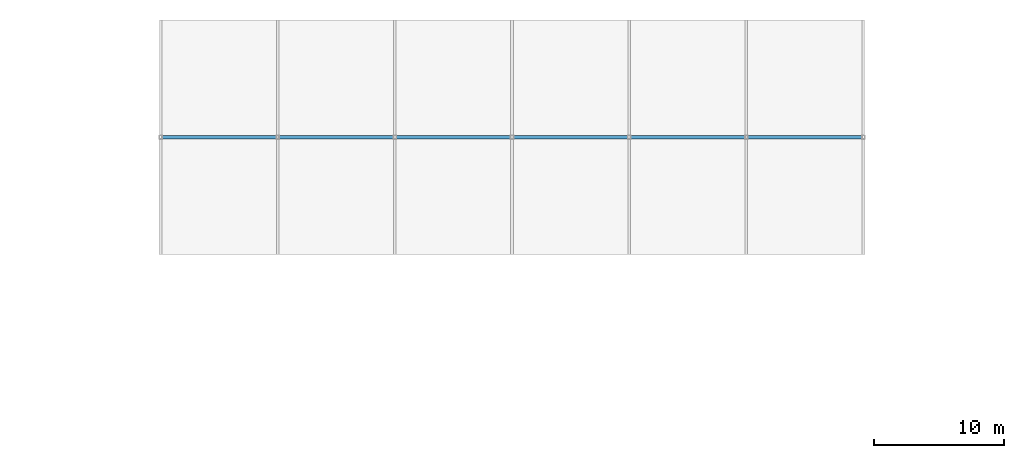
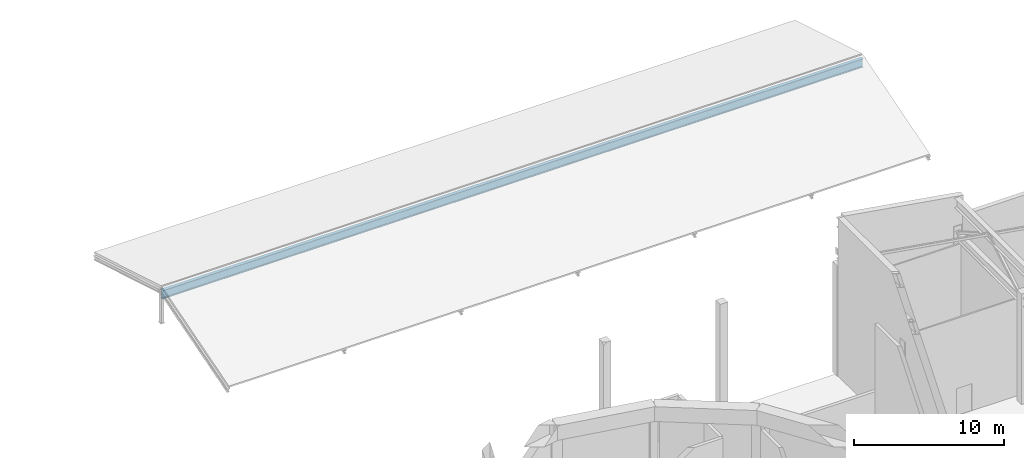
# One storey, part 45 of 68: 1 beam.
"""IFC4 building model written with IfcOpenShell, lengths in metres."""

import ifcopenshell
import ifcopenshell.guid

model = None  # the IFC model being written
_history = None  # IfcOwnerHistory: only IFC2X3 demands one
_inside = {}  # id of a spatial element -> (the spatial element, [elements in it])
_under = {}  # id of a project, library or spatial element -> (it, [spatial elements below it])
_declared = {}  # id of a project -> (the project, [libraries it declares])
_typed = {}  # id of a type object -> (the type object, [elements of that type])
_made_of = {}  # id of a material, layer set ... -> (it, [elements and type objects made of it])


def new_model(schema):
    """Start an empty IFC model of exactly this schema.

    Asked for "IFC4X3", IfcOpenShell would pick the latest addendum, in which some entities
    have other attributes; the version numbers below select the first issue.
    IFC2X3 requires an IfcOwnerHistory on every rooted entity: one is made here for all.
    """
    global model, _history
    if schema == "IFC4X3":
        model = ifcopenshell.file(schema_version=(4, 3, 0, 0))
    else:
        model = ifcopenshell.file(schema=schema)
    _inside.clear()
    _under.clear()
    _declared.clear()
    _typed.clear()
    _made_of.clear()
    _history = None
    if model.schema == "IFC2X3":
        org = make("IfcOrganization", Name="unknown")
        user = make(
            "IfcPersonAndOrganization",
            ThePerson=make("IfcPerson", FamilyName="unknown"),
            TheOrganization=org,
        )
        app = make(
            "IfcApplication",
            ApplicationDeveloper=org,
            Version="unknown",
            ApplicationFullName="unknown",
            ApplicationIdentifier="unknown",
        )
        _history = make(
            "IfcOwnerHistory",
            OwningUser=user,
            OwningApplication=app,
            ChangeAction="ADDED",
            CreationDate=0,
        )
    return model


def make(cls, **values):
    """One entity of the class cls with the attributes given. An attribute that is None is left unset."""
    return model.create_entity(
        cls, **{name: value for name, value in values.items() if value is not None}
    )


def rooted(cls, **values):
    """An entity with a GlobalId (a new one), such as an element, a storey or a relation."""
    return make(cls, GlobalId=ifcopenshell.guid.new(), OwnerHistory=_history, **values)


def si_unit(unit_type, name, prefix=None):
    """IfcSIUnit, for example si_unit("LENGTHUNIT", "METRE", prefix="MILLI")."""
    return make("IfcSIUnit", UnitType=unit_type, Prefix=prefix, Name=name)


def assignment(units):
    """IfcUnitAssignment: the units of a project."""
    return None if units is None else make("IfcUnitAssignment", Units=units)


def point(xyz):
    """IfcCartesianPoint."""
    return None if xyz is None else make("IfcCartesianPoint", Coordinates=xyz)


def direction(xyz):
    """IfcDirection."""
    return None if xyz is None else make("IfcDirection", DirectionRatios=xyz)


def frame(location, z_axis=None, x_axis=None):
    """IfcAxis2Placement3D, a coordinate frame: its origin and axes. An axis left out is left unset."""
    return make(
        "IfcAxis2Placement3D",
        Location=point(location),
        Axis=direction(z_axis),
        RefDirection=direction(x_axis),
    )


def frame_2d(location, x_axis=None):
    """IfcAxis2Placement2D, a coordinate frame in the plane: its origin and x axis."""
    return make(
        "IfcAxis2Placement2D", Location=point(location), RefDirection=direction(x_axis)
    )


def origin():
    """The frame at (0, 0, 0) with its axes left unset."""
    return frame((0.0, 0.0, 0.0))


def origin_2d():
    """The frame at (0, 0) in the plane with its x axis left unset."""
    return frame_2d((0.0, 0.0))


def place(relative_to, where):
    """IfcLocalPlacement: puts the frame where relative to a parent placement (None: the world)."""
    return make(
        "IfcLocalPlacement", PlacementRelTo=relative_to, RelativePlacement=where
    )


def context(
    kind, dimensions, precision=None, world=None, true_north=None, identifier=None
):
    """IfcGeometricRepresentationContext, for example the 3D "Model" context."""
    return make(
        "IfcGeometricRepresentationContext",
        ContextIdentifier=identifier,
        ContextType=kind,
        CoordinateSpaceDimension=dimensions,
        Precision=precision,
        WorldCoordinateSystem=world,
        TrueNorth=true_north,
    )


def subcontext(parent, identifier, kind, view, scale=None):
    """IfcGeometricRepresentationSubContext, for example "Body" below "Model"."""
    return make(
        "IfcGeometricRepresentationSubContext",
        ContextIdentifier=identifier,
        ContextType=kind,
        ParentContext=parent,
        TargetScale=scale,
        TargetView=view,
    )


def project(units=None, contexts=None):
    """IfcProject with its units and contexts."""
    return rooted(
        "IfcProject",
        Name="project",
        RepresentationContexts=contexts,
        UnitsInContext=assignment(units),
    )


def spatial(cls, under=None, at=None, **own):
    """A site, building, storey or space (cls), placed at a placement, below another one or the project."""
    s = rooted(cls, ObjectPlacement=at, **own)
    if under is not None:
        _under.setdefault(under.id(), (under, []))[1].append(s)
    return s


def profile(cls, at=None, kind="AREA", **sizes):
    """A parametric profile (cls). Its sizes go by their IFC names, for example OverallWidth=200.0."""
    return make(cls, ProfileType=kind, Position=at, **sizes)


def i_section(**sizes):
    """IfcIShapeProfileDef."""
    return profile("IfcIShapeProfileDef", **sizes)


def extrude(swept, where, along, depth):
    """IfcExtrudedAreaSolid: the profile swept, set in the frame where, extruded along a direction by depth."""
    return make(
        "IfcExtrudedAreaSolid",
        SweptArea=swept,
        Position=where,
        ExtrudedDirection=direction(along),
        Depth=depth,
    )


def shape(context_of_items, identifier, shape_type, items):
    """IfcShapeRepresentation: the items that make up one representation, for example the "Body"."""
    return make(
        "IfcShapeRepresentation",
        ContextOfItems=context_of_items,
        RepresentationIdentifier=identifier,
        RepresentationType=shape_type,
        Items=items,
    )


def material(Name=None, Category=None):
    """IfcMaterial."""
    return make("IfcMaterial", Name=Name, Category=Category)


def material_profile(
    of_material, cross_section, Name=None, Category=None, Priority=None
):
    """IfcMaterialProfile: a cross section and its material."""
    return make(
        "IfcMaterialProfile",
        Name=Name,
        Material=of_material,
        Profile=cross_section,
        Priority=Priority,
        Category=Category,
    )


def profile_set(profiles, Name=None, composite=None):
    """IfcMaterialProfileSet."""
    return make(
        "IfcMaterialProfileSet",
        Name=Name,
        MaterialProfiles=profiles,
        CompositeProfile=composite,
    )


def made_of(thing, what):
    """Note that an element or type object is made of a material, layer set ...; save() writes the relation."""
    if what is not None:
        _made_of.setdefault(what.id(), (what, []))[1].append(thing)
    return thing


def type_object(cls, material=None, **own):
    """A type object (cls), such as IfcWallType, which elements share."""
    return made_of(rooted(cls, **own), material)


def element(
    cls,
    number,
    at=None,
    inside=None,
    cuts=None,
    type_object=None,
    material=None,
    context=None,
    identifier="Body",
    shape_type=None,
    held_by="IfcProductDefinitionShape",
    body=None,
    shapes=None,
    **own,
):
    """One element of the class cls, such as IfcWall. Its Tag is "e" and its number.

    at: its placement. inside: the storey or other place that contains it. cuts: it is an
    opening in that element (IfcRelVoidsElement). A single representation is given by context,
    identifier, shape_type and body (its items); several are given by shapes. held_by: the class
    of the entity that holds the representations. save() writes the other relations.
    """
    e = rooted(cls, Tag="e%d" % number, ObjectPlacement=at, **own)
    if body is not None:
        shapes = [shape(context, identifier, shape_type, body)]
    if shapes is not None:
        e.Representation = make(held_by, Representations=shapes)
    if inside is not None:
        _inside.setdefault(inside.id(), (inside, []))[1].append(e)
    if cuts is not None:
        rooted(
            "IfcRelVoidsElement", RelatingBuildingElement=cuts, RelatedOpeningElement=e
        )
    if type_object is not None:
        _typed.setdefault(type_object.id(), (type_object, []))[1].append(e)
    return made_of(e, material)


def aggregate(whole, parts):
    """IfcRelAggregates: a whole, such as a stair, and the parts it consists of."""
    return rooted("IfcRelAggregates", RelatingObject=whole, RelatedObjects=parts)


def save(model, path):
    """Write the relations noted so far, then the file.

    IfcRelAggregates (storeys below a building ...), IfcRelContainedInSpatialStructure (elements
    in a storey), IfcRelDefinesByType, IfcRelAssociatesMaterial and IfcRelDeclares: one each for
    every whole, place, type object, material and project.
    """
    for whole, parts in _under.values():
        aggregate(whole, parts)
    for where, things in _inside.values():
        rooted(
            "IfcRelContainedInSpatialStructure",
            RelatedElements=things,
            RelatingStructure=where,
        )
    for kind, things in _typed.values():
        rooted("IfcRelDefinesByType", RelatedObjects=things, RelatingType=kind)
    for what, things in _made_of.values():
        rooted("IfcRelAssociatesMaterial", RelatedObjects=things, RelatingMaterial=what)
    for by, libraries in _declared.values():
        rooted("IfcRelDeclares", RelatingContext=by, RelatedDefinitions=libraries)
    model.write(path)


model = new_model("IFC4")

# Units and contexts
model_context = context("Model", 3, precision=1e-05, world=origin(), true_north=direction((0.0, 1.0)))
body_context = subcontext(model_context, "Body", "Model", "MODEL_VIEW")
ifc_project = project(units=[si_unit("LENGTHUNIT", "METRE"), si_unit("AREAUNIT", "SQUARE_METRE"), si_unit("VOLUMEUNIT", "CUBIC_METRE"), si_unit("PLANEANGLEUNIT", "RADIAN"), si_unit("MASSUNIT", "GRAM", prefix="KILO")], contexts=[model_context])

# Site, building, storey
site_placement = place(None, origin())
site = spatial("IfcSite", under=ifc_project, at=site_placement, CompositionType="ELEMENT")
building_placement = place(site_placement, origin())
building = spatial("IfcBuilding", under=site, at=building_placement, Name="Miravela Opera House", CompositionType="ELEMENT")
storey_placement = place(building_placement, frame((0.0, 0.0, 21.760009765625)))
storey = spatial("IfcBuildingStorey", under=building, at=storey_placement, Name="L05", CompositionType="ELEMENT", Elevation=21.760009765625)

# Beam
ifc_material = material(Name="Structural steel ASTM A992 Gr. 50", Category="steel")
ifc_material_profile = material_profile(ifc_material, i_section(OverallWidth=0.256103515625, OverallDepth=0.693115234375, WebThickness=0.014404296875, FlangeThickness=0.023681640625, FilletRadius=0.01806640625, at=origin_2d()), Name="W690X170")
ifc_profile_set = profile_set([ifc_material_profile])
beam_type = type_object("IfcBeamType", Name="STR-BM-W690X170", PredefinedType="BEAM", material=ifc_profile_set)
beam_placement = place(storey_placement, frame((63.0, 103.0, 2.033447265625), z_axis=(1.0, 0.0, 0.0), x_axis=(0.0, 1.0, 0.0)))
element("IfcBeam", 1, at=beam_placement, inside=storey, type_object=beam_type, Name="Clay Tile Roof Ridge Beam ROOF-V3-TOP", PredefinedType="BEAM", context=body_context, shape_type="SweptSolid", body=[
    extrude(i_section(OverallWidth=0.256103515625, OverallDepth=0.693115234375, WebThickness=0.014404296875, FlangeThickness=0.023681640625, FilletRadius=0.01806640625, at=origin_2d()), origin(), (0.0, 0.0, 1.0), 54.0),
])

save(model, "model.ifc")
